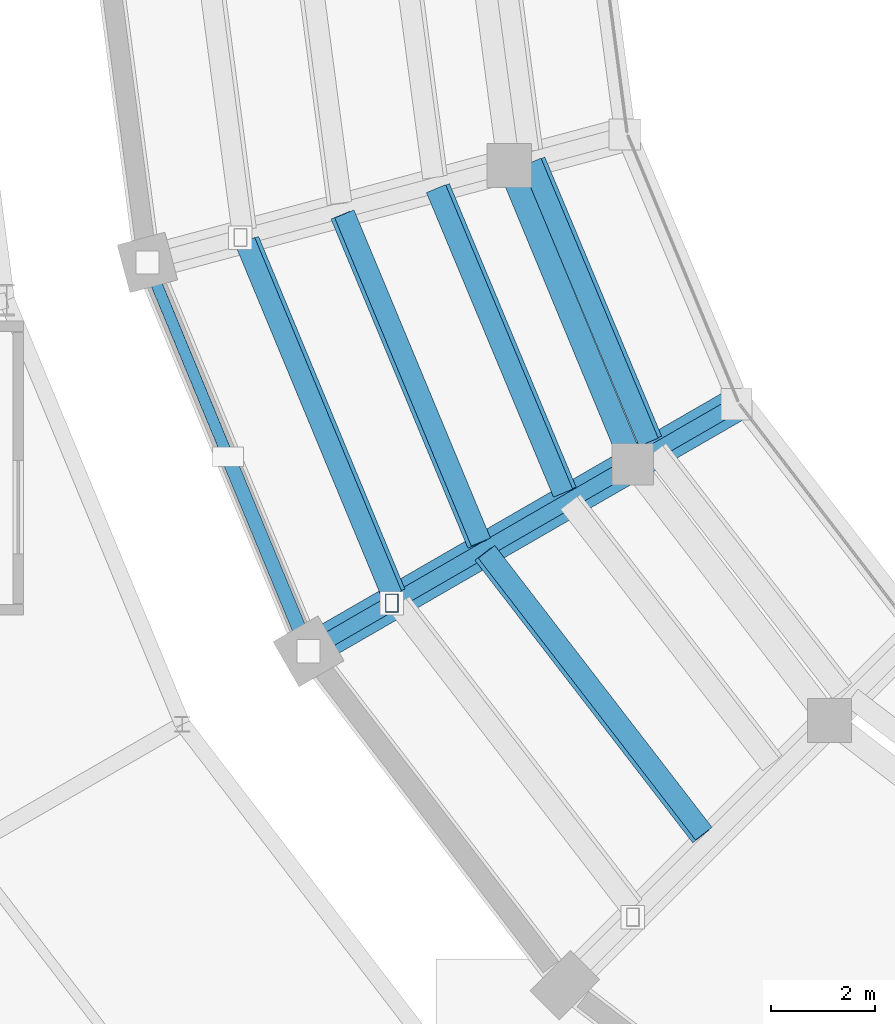
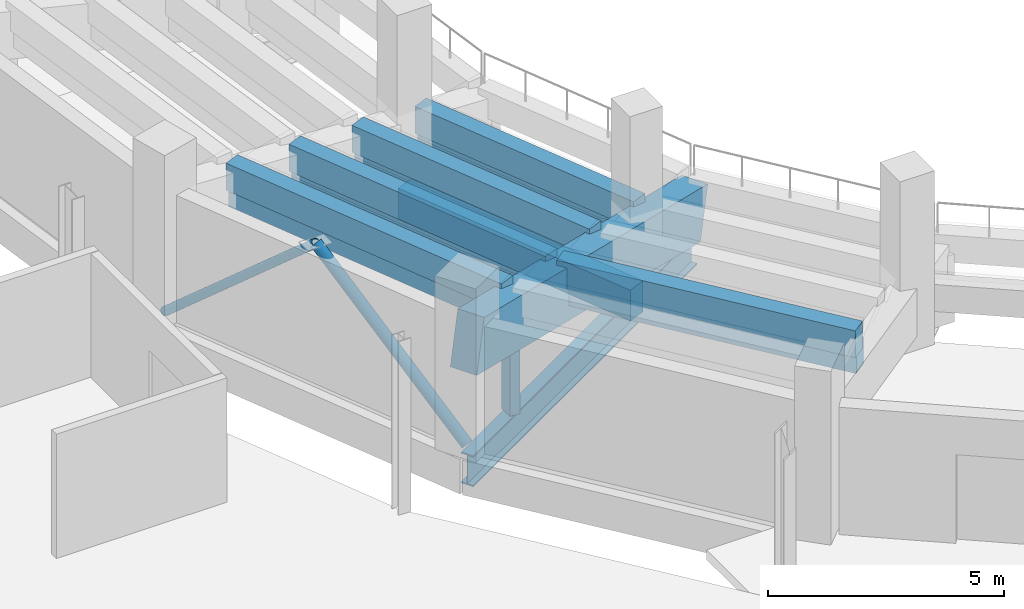
# One storey, part 30 of 120: 13 beams, 3 members.
"""IFC4 building model written with IfcOpenShell, lengths in metres."""

import ifcopenshell
import ifcopenshell.guid

model = None  # the IFC model being written
_history = None  # IfcOwnerHistory: only IFC2X3 demands one
_inside = {}  # id of a spatial element -> (the spatial element, [elements in it])
_under = {}  # id of a project, library or spatial element -> (it, [spatial elements below it])
_declared = {}  # id of a project -> (the project, [libraries it declares])
_typed = {}  # id of a type object -> (the type object, [elements of that type])
_made_of = {}  # id of a material, layer set ... -> (it, [elements and type objects made of it])


def new_model(schema):
    """Start an empty IFC model of exactly this schema.

    Asked for "IFC4X3", IfcOpenShell would pick the latest addendum, in which some entities
    have other attributes; the version numbers below select the first issue.
    IFC2X3 requires an IfcOwnerHistory on every rooted entity: one is made here for all.
    """
    global model, _history
    if schema == "IFC4X3":
        model = ifcopenshell.file(schema_version=(4, 3, 0, 0))
    else:
        model = ifcopenshell.file(schema=schema)
    _inside.clear()
    _under.clear()
    _declared.clear()
    _typed.clear()
    _made_of.clear()
    _history = None
    if model.schema == "IFC2X3":
        org = make("IfcOrganization", Name="unknown")
        user = make(
            "IfcPersonAndOrganization",
            ThePerson=make("IfcPerson", FamilyName="unknown"),
            TheOrganization=org,
        )
        app = make(
            "IfcApplication",
            ApplicationDeveloper=org,
            Version="unknown",
            ApplicationFullName="unknown",
            ApplicationIdentifier="unknown",
        )
        _history = make(
            "IfcOwnerHistory",
            OwningUser=user,
            OwningApplication=app,
            ChangeAction="ADDED",
            CreationDate=0,
        )
    return model


def make(cls, **values):
    """One entity of the class cls with the attributes given. An attribute that is None is left unset."""
    return model.create_entity(
        cls, **{name: value for name, value in values.items() if value is not None}
    )


def rooted(cls, **values):
    """An entity with a GlobalId (a new one), such as an element, a storey or a relation."""
    return make(cls, GlobalId=ifcopenshell.guid.new(), OwnerHistory=_history, **values)


def si_unit(unit_type, name, prefix=None):
    """IfcSIUnit, for example si_unit("LENGTHUNIT", "METRE", prefix="MILLI")."""
    return make("IfcSIUnit", UnitType=unit_type, Prefix=prefix, Name=name)


def assignment(units):
    """IfcUnitAssignment: the units of a project."""
    return None if units is None else make("IfcUnitAssignment", Units=units)


def point(xyz):
    """IfcCartesianPoint."""
    return None if xyz is None else make("IfcCartesianPoint", Coordinates=xyz)


def direction(xyz):
    """IfcDirection."""
    return None if xyz is None else make("IfcDirection", DirectionRatios=xyz)


def frame(location, z_axis=None, x_axis=None):
    """IfcAxis2Placement3D, a coordinate frame: its origin and axes. An axis left out is left unset."""
    return make(
        "IfcAxis2Placement3D",
        Location=point(location),
        Axis=direction(z_axis),
        RefDirection=direction(x_axis),
    )


def frame_2d(location, x_axis=None):
    """IfcAxis2Placement2D, a coordinate frame in the plane: its origin and x axis."""
    return make(
        "IfcAxis2Placement2D", Location=point(location), RefDirection=direction(x_axis)
    )


def origin():
    """The frame at (0, 0, 0) with its axes left unset."""
    return frame((0.0, 0.0, 0.0))


def origin_2d():
    """The frame at (0, 0) in the plane with its x axis left unset."""
    return frame_2d((0.0, 0.0))


def place(relative_to, where):
    """IfcLocalPlacement: puts the frame where relative to a parent placement (None: the world)."""
    return make(
        "IfcLocalPlacement", PlacementRelTo=relative_to, RelativePlacement=where
    )


def context(
    kind, dimensions, precision=None, world=None, true_north=None, identifier=None
):
    """IfcGeometricRepresentationContext, for example the 3D "Model" context."""
    return make(
        "IfcGeometricRepresentationContext",
        ContextIdentifier=identifier,
        ContextType=kind,
        CoordinateSpaceDimension=dimensions,
        Precision=precision,
        WorldCoordinateSystem=world,
        TrueNorth=true_north,
    )


def subcontext(parent, identifier, kind, view, scale=None):
    """IfcGeometricRepresentationSubContext, for example "Body" below "Model"."""
    return make(
        "IfcGeometricRepresentationSubContext",
        ContextIdentifier=identifier,
        ContextType=kind,
        ParentContext=parent,
        TargetScale=scale,
        TargetView=view,
    )


def project(units=None, contexts=None):
    """IfcProject with its units and contexts."""
    return rooted(
        "IfcProject",
        Name="project",
        RepresentationContexts=contexts,
        UnitsInContext=assignment(units),
    )


def spatial(cls, under=None, at=None, **own):
    """A site, building, storey or space (cls), placed at a placement, below another one or the project."""
    s = rooted(cls, ObjectPlacement=at, **own)
    if under is not None:
        _under.setdefault(under.id(), (under, []))[1].append(s)
    return s


def profile(cls, at=None, kind="AREA", **sizes):
    """A parametric profile (cls). Its sizes go by their IFC names, for example OverallWidth=200.0."""
    return make(cls, ProfileType=kind, Position=at, **sizes)


def rectangle(**sizes):
    """IfcRectangleProfileDef."""
    return profile("IfcRectangleProfileDef", **sizes)


def hollow_rectangle(**sizes):
    """IfcRectangleHollowProfileDef."""
    return profile("IfcRectangleHollowProfileDef", **sizes)


def hollow_circle(**sizes):
    """IfcCircleHollowProfileDef."""
    return profile("IfcCircleHollowProfileDef", **sizes)


def i_section(**sizes):
    """IfcIShapeProfileDef."""
    return profile("IfcIShapeProfileDef", **sizes)


def extrude(swept, where, along, depth):
    """IfcExtrudedAreaSolid: the profile swept, set in the frame where, extruded along a direction by depth."""
    return make(
        "IfcExtrudedAreaSolid",
        SweptArea=swept,
        Position=where,
        ExtrudedDirection=direction(along),
        Depth=depth,
    )


def shape(context_of_items, identifier, shape_type, items):
    """IfcShapeRepresentation: the items that make up one representation, for example the "Body"."""
    return make(
        "IfcShapeRepresentation",
        ContextOfItems=context_of_items,
        RepresentationIdentifier=identifier,
        RepresentationType=shape_type,
        Items=items,
    )


def material(Name=None, Category=None):
    """IfcMaterial."""
    return make("IfcMaterial", Name=Name, Category=Category)


def material_profile(
    of_material, cross_section, Name=None, Category=None, Priority=None
):
    """IfcMaterialProfile: a cross section and its material."""
    return make(
        "IfcMaterialProfile",
        Name=Name,
        Material=of_material,
        Profile=cross_section,
        Priority=Priority,
        Category=Category,
    )


def profile_set(profiles, Name=None, composite=None):
    """IfcMaterialProfileSet."""
    return make(
        "IfcMaterialProfileSet",
        Name=Name,
        MaterialProfiles=profiles,
        CompositeProfile=composite,
    )


def made_of(thing, what):
    """Note that an element or type object is made of a material, layer set ...; save() writes the relation."""
    if what is not None:
        _made_of.setdefault(what.id(), (what, []))[1].append(thing)
    return thing


def type_object(cls, material=None, **own):
    """A type object (cls), such as IfcWallType, which elements share."""
    return made_of(rooted(cls, **own), material)


def element(
    cls,
    number,
    at=None,
    inside=None,
    cuts=None,
    type_object=None,
    material=None,
    context=None,
    identifier="Body",
    shape_type=None,
    held_by="IfcProductDefinitionShape",
    body=None,
    shapes=None,
    **own,
):
    """One element of the class cls, such as IfcWall. Its Tag is "e" and its number.

    at: its placement. inside: the storey or other place that contains it. cuts: it is an
    opening in that element (IfcRelVoidsElement). A single representation is given by context,
    identifier, shape_type and body (its items); several are given by shapes. held_by: the class
    of the entity that holds the representations. save() writes the other relations.
    """
    e = rooted(cls, Tag="e%d" % number, ObjectPlacement=at, **own)
    if body is not None:
        shapes = [shape(context, identifier, shape_type, body)]
    if shapes is not None:
        e.Representation = make(held_by, Representations=shapes)
    if inside is not None:
        _inside.setdefault(inside.id(), (inside, []))[1].append(e)
    if cuts is not None:
        rooted(
            "IfcRelVoidsElement", RelatingBuildingElement=cuts, RelatedOpeningElement=e
        )
    if type_object is not None:
        _typed.setdefault(type_object.id(), (type_object, []))[1].append(e)
    return made_of(e, material)


def aggregate(whole, parts):
    """IfcRelAggregates: a whole, such as a stair, and the parts it consists of."""
    return rooted("IfcRelAggregates", RelatingObject=whole, RelatedObjects=parts)


def save(model, path):
    """Write the relations noted so far, then the file.

    IfcRelAggregates (storeys below a building ...), IfcRelContainedInSpatialStructure (elements
    in a storey), IfcRelDefinesByType, IfcRelAssociatesMaterial and IfcRelDeclares: one each for
    every whole, place, type object, material and project.
    """
    for whole, parts in _under.values():
        aggregate(whole, parts)
    for where, things in _inside.values():
        rooted(
            "IfcRelContainedInSpatialStructure",
            RelatedElements=things,
            RelatingStructure=where,
        )
    for kind, things in _typed.values():
        rooted("IfcRelDefinesByType", RelatedObjects=things, RelatingType=kind)
    for what, things in _made_of.values():
        rooted("IfcRelAssociatesMaterial", RelatedObjects=things, RelatingMaterial=what)
    for by, libraries in _declared.values():
        rooted("IfcRelDeclares", RelatingContext=by, RelatedDefinitions=libraries)
    model.write(path)


model = new_model("IFC4")

# Units and contexts
model_context = context("Model", 3, precision=1e-05, world=origin(), true_north=direction((0.0, 1.0)))
body_context = subcontext(model_context, "Body", "Model", "MODEL_VIEW")
ifc_project = project(units=[si_unit("LENGTHUNIT", "METRE"), si_unit("AREAUNIT", "SQUARE_METRE"), si_unit("VOLUMEUNIT", "CUBIC_METRE"), si_unit("PLANEANGLEUNIT", "RADIAN"), si_unit("MASSUNIT", "GRAM", prefix="KILO")], contexts=[model_context])

# Site, building, storey
site_placement = place(None, origin())
site = spatial("IfcSite", under=ifc_project, at=site_placement, CompositionType="ELEMENT")
building_placement = place(site_placement, origin())
building = spatial("IfcBuilding", under=site, at=building_placement, Name="Sohan Crest Arena", CompositionType="ELEMENT")
storey_placement = place(building_placement, frame((0.0, 0.0, 13.5)))
storey = spatial("IfcBuildingStorey", under=building, at=storey_placement, Name="L03", CompositionType="ELEMENT", Elevation=13.5)

# Beams
ifc_material_1 = material(Name="Steel S355", Category="steel")
ifc_material_profile_1 = material_profile(ifc_material_1, i_section(OverallWidth=0.300048828125, OverallDepth=0.800048828125, WebThickness=0.017578125, FlangeThickness=0.032958984375, at=origin_2d()), Name="HEB 800")
ifc_profile_set_1 = profile_set([ifc_material_profile_1], Name="Steel S355")
beam_type_1 = type_object("IfcBeamType", Name="STR-BM-B17", PredefinedType="BEAM", material=ifc_profile_set_1)
beam_1_placement = place(storey_placement, frame((71.153076171875, 62.5, -0.64990234375), z_axis=(0.866046085977, 0.49996417568, 0.0), x_axis=(-0.49996417568, 0.866046085977, 0.0)))
element("IfcBeam", 1, at=beam_1_placement, inside=storey, type_object=beam_type_1, Name="Structural beam GC-L03-0836", PredefinedType="BEAM", context=body_context, shape_type="SweptSolid", body=[
    extrude(i_section(OverallWidth=0.300048828125, OverallDepth=0.800048828125, WebThickness=0.017578125, FlangeThickness=0.032958984375, at=origin_2d()), origin(), (0.0, 0.0, 1.0), 9.500732421875),
])
ifc_material_2 = material(Name="Precast concrete C50/60", Category="concrete")
ifc_material_profile_2 = material_profile(ifc_material_2, rectangle(XDim=0.64990234375, YDim=1.35009765625, at=origin_2d()), Name="RAKER 650x1350")
ifc_profile_set_2 = profile_set([ifc_material_profile_2], Name="Precast concrete C50/60")
beam_type_2 = type_object("IfcBeamType", Name="STR-BM-RK06", PredefinedType="USERDEFINED", material=ifc_profile_set_2)
beam_2_placement = place(storey_placement, frame((79.381103515625, 67.25, 0.35009765625), z_axis=(-0.841735714693, -0.485929917069, 0.235272400226), x_axis=(0.49996417568, -0.866046085977, 0.0)))
element("IfcBeam", 2, at=beam_2_placement, inside=storey, type_object=beam_type_2, Name="Structural beam RKU-L03-0837", ObjectType="RAKER", PredefinedType="USERDEFINED", context=body_context, shape_type="SweptSolid", body=[
    extrude(rectangle(XDim=0.64990234375, YDim=1.35009765625, at=origin_2d()), origin(), (0.0, 0.0, 1.0), 9.775146484375),
])
ifc_material_3 = material(Name="Concrete C40/50", Category="concrete")
ifc_material_profile_3 = material_profile(ifc_material_3, rectangle(XDim=0.39990234375, YDim=0.699951171875, at=origin_2d()), Name="RC-BM 400x700")
ifc_profile_set_3 = profile_set([ifc_material_profile_3], Name="Concrete C40/50")
beam_type_3 = type_object("IfcBeamType", Name="STR-BM-TB01", PredefinedType="BEAM", material=ifc_profile_set_3)
beam_3_placement = place(storey_placement, frame((75.512939453125, 71.925048828125, 0.85595703125), z_axis=(0.386179619487, -0.922423601982, 0.0), x_axis=(0.922423601982, 0.386179619487, 0.0)))
element("IfcBeam", 3, at=beam_3_placement, inside=storey, type_object=beam_type_3, Name="Upper tier rear stringer TSB-U064B", PredefinedType="BEAM", context=body_context, shape_type="SweptSolid", body=[
    extrude(rectangle(XDim=0.39990234375, YDim=0.699951171875, at=origin_2d()), origin(), (0.0, 0.0, 1.0), 5.816162109375),
])
beam_4_placement = place(storey_placement, frame((75.43896484375, 71.905029296875, 1.31591796875), z_axis=(0.386191887484, -0.922418465796, 0.0), x_axis=(0.922418465796, 0.386191887484, 0.0)))
element("IfcBeam", 4, at=beam_4_placement, inside=storey, type_object=beam_type_3, Name="Upper tier front stringer TSB-U065A", PredefinedType="BEAM", context=body_context, shape_type="SweptSolid", body=[
    extrude(rectangle(XDim=0.39990234375, YDim=0.699951171875, at=origin_2d()), origin(), (0.0, 0.0, 1.0), 5.8369140625),
])
beam_5_placement = place(storey_placement, frame((73.677001953125, 71.4169921875, 1.31591796875), z_axis=(0.385338908429, -0.922775121929, 0.0), x_axis=(0.922775121929, 0.385338908429, 0.0)))
element("IfcBeam", 5, at=beam_5_placement, inside=storey, type_object=beam_type_3, Name="Upper tier rear stringer TSB-U065B", PredefinedType="BEAM", context=body_context, shape_type="SweptSolid", body=[
    extrude(rectangle(XDim=0.39990234375, YDim=0.699951171875, at=origin_2d()), origin(), (0.0, 0.0, 1.0), 6.32421875),
])
beam_6_placement = place(storey_placement, frame((73.60400390625, 71.39697265625, 1.77587890625), z_axis=(0.385221871666, -0.922823986245, 0.0), x_axis=(0.922823986245, 0.385221871666, 0.0)))
element("IfcBeam", 6, at=beam_6_placement, inside=storey, type_object=beam_type_3, Name="Upper tier front stringer TSB-U066A", PredefinedType="BEAM", context=body_context, shape_type="SweptSolid", body=[
    extrude(rectangle(XDim=0.39990234375, YDim=0.699951171875, at=origin_2d()), origin(), (0.0, 0.0, 1.0), 6.3447265625),
])
beam_7_placement = place(storey_placement, frame((71.842041015625, 70.909912109375, 1.77587890625), z_axis=(0.384277962194, -0.923217443386, 0.0), x_axis=(0.923217443386, 0.384277962194, 0.0)))
element("IfcBeam", 7, at=beam_7_placement, inside=storey, type_object=beam_type_3, Name="Upper tier rear stringer TSB-U066B", PredefinedType="BEAM", context=body_context, shape_type="SweptSolid", body=[
    extrude(rectangle(XDim=0.39990234375, YDim=0.699951171875, at=origin_2d()), origin(), (0.0, 0.0, 1.0), 6.83349609375),
])
beam_8_placement = place(storey_placement, frame((71.76904296875, 70.888916015625, 2.236083984375), z_axis=(0.384223256331, -0.92324021213, 0.0), x_axis=(0.92324021213, 0.384223256331, 0.0)))
element("IfcBeam", 8, at=beam_8_placement, inside=storey, type_object=beam_type_3, Name="Upper tier front stringer TSB-U067A", PredefinedType="BEAM", context=body_context, shape_type="SweptSolid", body=[
    extrude(rectangle(XDim=0.39990234375, YDim=0.699951171875, at=origin_2d()), origin(), (0.0, 0.0, 1.0), 6.85302734375),
])
beam_9_placement = place(storey_placement, frame((70.007080078125, 70.402099609375, 2.236083984375), z_axis=(0.383399079035, -0.923582777121, 0.0), x_axis=(0.923582777121, 0.383399079035, 0.0)))
element("IfcBeam", 9, at=beam_9_placement, inside=storey, type_object=beam_type_3, Name="Upper tier rear stringer TSB-U067B", PredefinedType="BEAM", context=body_context, shape_type="SweptSolid", body=[
    extrude(rectangle(XDim=0.39990234375, YDim=0.699951171875, at=origin_2d()), origin(), (0.0, 0.0, 1.0), 7.342041015625),
])
beam_10_placement = place(storey_placement, frame((69.93310546875, 70.382080078125, 2.696044921875), z_axis=(0.383529758779, -0.923528518309, 0.0), x_axis=(0.923528518309, 0.383529758779, 0.0)))
element("IfcBeam", 10, at=beam_10_placement, inside=storey, type_object=beam_type_3, Name="Upper tier front stringer TSB-U068A", PredefinedType="BEAM", context=body_context, shape_type="SweptSolid", body=[
    extrude(rectangle(XDim=0.39990234375, YDim=0.699951171875, at=origin_2d()), origin(), (0.0, 0.0, 1.0), 7.363037109375),
])
beam_11_placement = place(storey_placement, frame((74.576904296875, 64.412109375, 1.77587890625), z_axis=(0.610550297816, -0.791977483163, 0.0), x_axis=(0.791977483163, 0.610550297816, 0.0)))
element("IfcBeam", 11, at=beam_11_placement, inside=storey, type_object=beam_type_3, Name="Upper tier rear stringer TSB-U076B", PredefinedType="BEAM", context=body_context, shape_type="SweptSolid", body=[
    extrude(rectangle(XDim=0.39990234375, YDim=0.699951171875, at=origin_2d()), origin(), (0.0, 0.0, 1.0), 6.84130859375),
])
beam_12_placement = place(storey_placement, frame((74.510986328125, 64.373046875, 2.236083984375), z_axis=(0.610525530371, -0.791996576233, 0.0), x_axis=(0.791996576233, 0.610525530371, 0.0)))
element("IfcBeam", 12, at=beam_12_placement, inside=storey, type_object=beam_type_3, Name="Upper tier front stringer TSB-U077A", PredefinedType="BEAM", context=body_context, shape_type="SweptSolid", body=[
    extrude(rectangle(XDim=0.39990234375, YDim=0.699951171875, at=origin_2d()), origin(), (0.0, 0.0, 1.0), 6.861328125),
])
ifc_material_profile_4 = material_profile(ifc_material_3, rectangle(XDim=0.449951171875, YDim=0.800048828125, at=origin_2d()), Name="RC-BM 450x800")
ifc_profile_set_4 = profile_set([ifc_material_profile_4], Name="Concrete C40/50")
beam_type_4 = type_object("IfcBeamType", Name="STR-BM-TB02", PredefinedType="BEAM", material=ifc_profile_set_4)
beam_13_placement = place(storey_placement, frame((75.010986328125, 71.840087890625, -0.64990234375), z_axis=(0.382731224457, -0.92385973493, 0.0), x_axis=(0.92385973493, 0.382731224457, 0.0)))
element("IfcBeam", 13, at=beam_13_placement, inside=storey, type_object=beam_type_4, Name="Structural beam TB-L03-0228", PredefinedType="BEAM", context=body_context, shape_type="SweptSolid", body=[
    extrude(rectangle(XDim=0.449951171875, YDim=0.800048828125, at=origin_2d()), origin(), (0.0, 0.0, 1.0), 6.213134765625),
])

# Members
ifc_material_profile_5 = material_profile(ifc_material_1, hollow_circle(Radius=0.109619140625, WallThickness=0.010009765625, at=origin_2d()), Name="CHS 219.1x10")
ifc_profile_set_5 = profile_set([ifc_material_profile_5], Name="Steel S355")
member_type_1 = type_object("IfcMemberType", Name="STR-MEM-BR01", PredefinedType="BRACE", material=ifc_profile_set_5)
member_1_placement = place(storey_placement, frame((68.055908203125, 69.97705078125, 0.0), z_axis=(0.289545983611, -0.698697959822, 0.654205078179), x_axis=(0.923816031855, 0.38283670055, 0.0)))
element("IfcMember", 14, at=member_1_placement, inside=storey, type_object=member_type_1, Name="Concentric lateral chevron brace BR-015", PredefinedType="BRACE", context=body_context, shape_type="SweptSolid", body=[
    extrude(hollow_circle(Radius=0.109619140625, WallThickness=0.010009765625, at=origin_2d()), origin(), (0.0, 0.0, 1.0), 5.35009765625),
])
ifc_material_profile_6 = material_profile(ifc_material_1, hollow_circle(Radius=0.136474609375, WallThickness=0.012451171875, at=origin_2d()), Name="CHS 273x12.5")
ifc_profile_set_6 = profile_set([ifc_material_profile_6], Name="Steel S355")
member_type_2 = type_object("IfcMemberType", Name="STR-MEM-BR02", PredefinedType="BRACE", material=ifc_profile_set_6)
member_2_placement = place(storey_placement, frame((71.153076171875, 62.5, 0.0), z_axis=(-0.289341830525, 0.698828281736, 0.654156202871), x_axis=(-0.923936700295, -0.382545387958, 0.0)))
element("IfcMember", 15, at=member_2_placement, inside=storey, type_object=member_type_2, Name="Concentric lateral chevron brace BR-016", PredefinedType="BRACE", context=body_context, shape_type="SweptSolid", body=[
    extrude(hollow_circle(Radius=0.136474609375, WallThickness=0.012451171875, at=origin_2d()), origin(), (0.0, 0.0, 1.0), 5.350341796875),
])
ifc_material_profile_7 = material_profile(ifc_material_1, hollow_rectangle(XDim=0.25, YDim=0.35009765625, WallThickness=0.012451171875, at=origin_2d()), Name="RHS 350x250x12.5")
ifc_profile_set_7 = profile_set([ifc_material_profile_7], Name="Steel S355")
member_type_3 = type_object("IfcMemberType", Name="STR-MEM-CH04", PredefinedType="CHORD", material=ifc_profile_set_7)
member_3_placement = place(storey_placement, frame((72.7548828125, 63.425048828125, -0.260009765625), z_axis=(0.0, 0.0, 1.0), x_axis=(1.0, 0.0, 0.0)))
element("IfcMember", 16, at=member_3_placement, inside=storey, type_object=member_type_3, Name="Upper tier rear raker support post RKP-O09", PredefinedType="CHORD", context=body_context, shape_type="SweptSolid", body=[
    extrude(hollow_rectangle(XDim=0.25, YDim=0.35009765625, WallThickness=0.012451171875, at=origin_2d()), origin(), (0.0, 0.0, 1.0), 2.0849609375),
])

save(model, "model.ifc")
